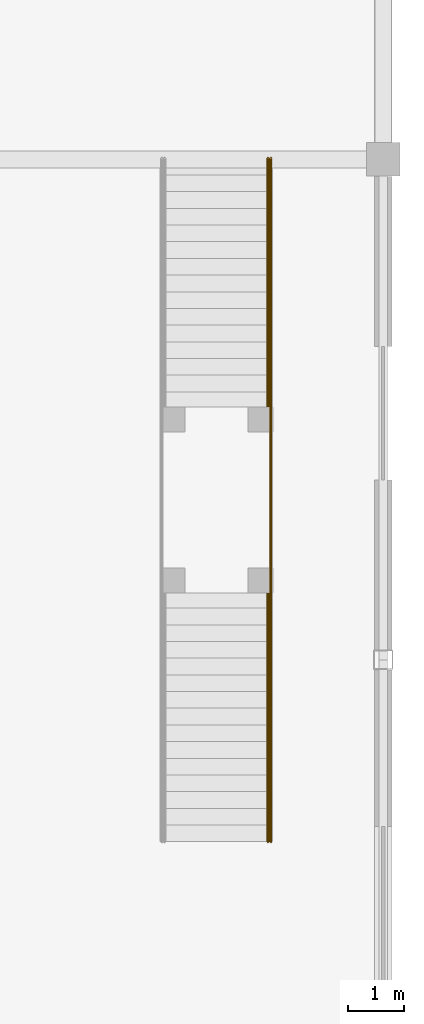
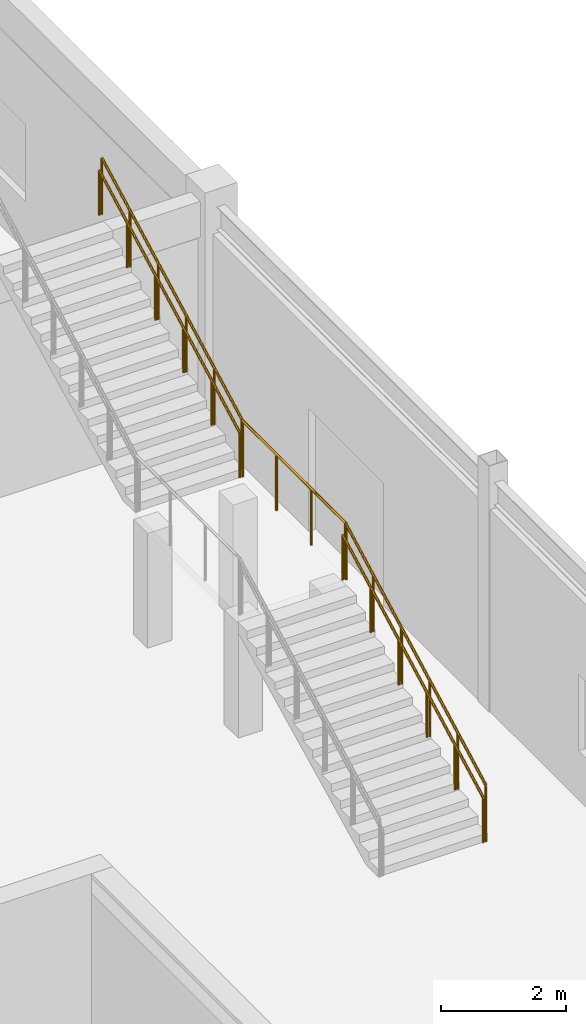
# One storey, part 81 of 82: 5 railings.
"""IFC4 building model written with IfcOpenShell, lengths in metres."""

import ifcopenshell
import ifcopenshell.guid

model = None  # the IFC model being written
_history = None  # IfcOwnerHistory: only IFC2X3 demands one
_inside = {}  # id of a spatial element -> (the spatial element, [elements in it])
_under = {}  # id of a project, library or spatial element -> (it, [spatial elements below it])
_declared = {}  # id of a project -> (the project, [libraries it declares])
_typed = {}  # id of a type object -> (the type object, [elements of that type])
_made_of = {}  # id of a material, layer set ... -> (it, [elements and type objects made of it])


def new_model(schema):
    """Start an empty IFC model of exactly this schema.

    Asked for "IFC4X3", IfcOpenShell would pick the latest addendum, in which some entities
    have other attributes; the version numbers below select the first issue.
    IFC2X3 requires an IfcOwnerHistory on every rooted entity: one is made here for all.
    """
    global model, _history
    if schema == "IFC4X3":
        model = ifcopenshell.file(schema_version=(4, 3, 0, 0))
    else:
        model = ifcopenshell.file(schema=schema)
    _inside.clear()
    _under.clear()
    _declared.clear()
    _typed.clear()
    _made_of.clear()
    _history = None
    if model.schema == "IFC2X3":
        org = make("IfcOrganization", Name="unknown")
        user = make(
            "IfcPersonAndOrganization",
            ThePerson=make("IfcPerson", FamilyName="unknown"),
            TheOrganization=org,
        )
        app = make(
            "IfcApplication",
            ApplicationDeveloper=org,
            Version="unknown",
            ApplicationFullName="unknown",
            ApplicationIdentifier="unknown",
        )
        _history = make(
            "IfcOwnerHistory",
            OwningUser=user,
            OwningApplication=app,
            ChangeAction="ADDED",
            CreationDate=0,
        )
    return model


def make(cls, **values):
    """One entity of the class cls with the attributes given. An attribute that is None is left unset."""
    return model.create_entity(
        cls, **{name: value for name, value in values.items() if value is not None}
    )


def rooted(cls, **values):
    """An entity with a GlobalId (a new one), such as an element, a storey or a relation."""
    return make(cls, GlobalId=ifcopenshell.guid.new(), OwnerHistory=_history, **values)


def si_unit(unit_type, name, prefix=None):
    """IfcSIUnit, for example si_unit("LENGTHUNIT", "METRE", prefix="MILLI")."""
    return make("IfcSIUnit", UnitType=unit_type, Prefix=prefix, Name=name)


def assignment(units):
    """IfcUnitAssignment: the units of a project."""
    return None if units is None else make("IfcUnitAssignment", Units=units)


def point(xyz):
    """IfcCartesianPoint."""
    return None if xyz is None else make("IfcCartesianPoint", Coordinates=xyz)


def direction(xyz):
    """IfcDirection."""
    return None if xyz is None else make("IfcDirection", DirectionRatios=xyz)


def frame(location, z_axis=None, x_axis=None):
    """IfcAxis2Placement3D, a coordinate frame: its origin and axes. An axis left out is left unset."""
    return make(
        "IfcAxis2Placement3D",
        Location=point(location),
        Axis=direction(z_axis),
        RefDirection=direction(x_axis),
    )


def frame_2d(location, x_axis=None):
    """IfcAxis2Placement2D, a coordinate frame in the plane: its origin and x axis."""
    return make(
        "IfcAxis2Placement2D", Location=point(location), RefDirection=direction(x_axis)
    )


def origin():
    """The frame at (0, 0, 0) with its axes left unset."""
    return frame((0.0, 0.0, 0.0))


def origin_2d():
    """The frame at (0, 0) in the plane with its x axis left unset."""
    return frame_2d((0.0, 0.0))


def place(relative_to, where):
    """IfcLocalPlacement: puts the frame where relative to a parent placement (None: the world)."""
    return make(
        "IfcLocalPlacement", PlacementRelTo=relative_to, RelativePlacement=where
    )


def context(
    kind, dimensions, precision=None, world=None, true_north=None, identifier=None
):
    """IfcGeometricRepresentationContext, for example the 3D "Model" context."""
    return make(
        "IfcGeometricRepresentationContext",
        ContextIdentifier=identifier,
        ContextType=kind,
        CoordinateSpaceDimension=dimensions,
        Precision=precision,
        WorldCoordinateSystem=world,
        TrueNorth=true_north,
    )


def subcontext(parent, identifier, kind, view, scale=None):
    """IfcGeometricRepresentationSubContext, for example "Body" below "Model"."""
    return make(
        "IfcGeometricRepresentationSubContext",
        ContextIdentifier=identifier,
        ContextType=kind,
        ParentContext=parent,
        TargetScale=scale,
        TargetView=view,
    )


def project(units=None, contexts=None):
    """IfcProject with its units and contexts."""
    return rooted(
        "IfcProject",
        Name="project",
        RepresentationContexts=contexts,
        UnitsInContext=assignment(units),
    )


def spatial(cls, under=None, at=None, **own):
    """A site, building, storey or space (cls), placed at a placement, below another one or the project."""
    s = rooted(cls, ObjectPlacement=at, **own)
    if under is not None:
        _under.setdefault(under.id(), (under, []))[1].append(s)
    return s


def profile(cls, at=None, kind="AREA", **sizes):
    """A parametric profile (cls). Its sizes go by their IFC names, for example OverallWidth=200.0."""
    return make(cls, ProfileType=kind, Position=at, **sizes)


def circle(**sizes):
    """IfcCircleProfileDef."""
    return profile("IfcCircleProfileDef", **sizes)


def extrude(swept, where, along, depth):
    """IfcExtrudedAreaSolid: the profile swept, set in the frame where, extruded along a direction by depth."""
    return make(
        "IfcExtrudedAreaSolid",
        SweptArea=swept,
        Position=where,
        ExtrudedDirection=direction(along),
        Depth=depth,
    )


def shape(context_of_items, identifier, shape_type, items):
    """IfcShapeRepresentation: the items that make up one representation, for example the "Body"."""
    return make(
        "IfcShapeRepresentation",
        ContextOfItems=context_of_items,
        RepresentationIdentifier=identifier,
        RepresentationType=shape_type,
        Items=items,
    )


def material(Name=None, Category=None):
    """IfcMaterial."""
    return make("IfcMaterial", Name=Name, Category=Category)


def made_of(thing, what):
    """Note that an element or type object is made of a material, layer set ...; save() writes the relation."""
    if what is not None:
        _made_of.setdefault(what.id(), (what, []))[1].append(thing)
    return thing


def type_object(cls, material=None, **own):
    """A type object (cls), such as IfcWallType, which elements share."""
    return made_of(rooted(cls, **own), material)


def element(
    cls,
    number,
    at=None,
    inside=None,
    cuts=None,
    type_object=None,
    material=None,
    context=None,
    identifier="Body",
    shape_type=None,
    held_by="IfcProductDefinitionShape",
    body=None,
    shapes=None,
    **own,
):
    """One element of the class cls, such as IfcWall. Its Tag is "e" and its number.

    at: its placement. inside: the storey or other place that contains it. cuts: it is an
    opening in that element (IfcRelVoidsElement). A single representation is given by context,
    identifier, shape_type and body (its items); several are given by shapes. held_by: the class
    of the entity that holds the representations. save() writes the other relations.
    """
    e = rooted(cls, Tag="e%d" % number, ObjectPlacement=at, **own)
    if body is not None:
        shapes = [shape(context, identifier, shape_type, body)]
    if shapes is not None:
        e.Representation = make(held_by, Representations=shapes)
    if inside is not None:
        _inside.setdefault(inside.id(), (inside, []))[1].append(e)
    if cuts is not None:
        rooted(
            "IfcRelVoidsElement", RelatingBuildingElement=cuts, RelatedOpeningElement=e
        )
    if type_object is not None:
        _typed.setdefault(type_object.id(), (type_object, []))[1].append(e)
    return made_of(e, material)


def aggregate(whole, parts):
    """IfcRelAggregates: a whole, such as a stair, and the parts it consists of."""
    return rooted("IfcRelAggregates", RelatingObject=whole, RelatedObjects=parts)


def save(model, path):
    """Write the relations noted so far, then the file.

    IfcRelAggregates (storeys below a building ...), IfcRelContainedInSpatialStructure (elements
    in a storey), IfcRelDefinesByType, IfcRelAssociatesMaterial and IfcRelDeclares: one each for
    every whole, place, type object, material and project.
    """
    for whole, parts in _under.values():
        aggregate(whole, parts)
    for where, things in _inside.values():
        rooted(
            "IfcRelContainedInSpatialStructure",
            RelatedElements=things,
            RelatingStructure=where,
        )
    for kind, things in _typed.values():
        rooted("IfcRelDefinesByType", RelatedObjects=things, RelatingType=kind)
    for what, things in _made_of.values():
        rooted("IfcRelAssociatesMaterial", RelatedObjects=things, RelatingMaterial=what)
    for by, libraries in _declared.values():
        rooted("IfcRelDeclares", RelatingContext=by, RelatedDefinitions=libraries)
    model.write(path)


model = new_model("IFC4")

# Units and contexts
model_context = context("Model", 3, precision=1e-05, world=origin(), true_north=direction((0.0, 1.0)))
body_context = subcontext(model_context, "Body", "Model", "MODEL_VIEW")
ifc_project = project(units=[si_unit("LENGTHUNIT", "METRE"), si_unit("AREAUNIT", "SQUARE_METRE"), si_unit("VOLUMEUNIT", "CUBIC_METRE"), si_unit("PLANEANGLEUNIT", "RADIAN"), si_unit("MASSUNIT", "GRAM", prefix="KILO")], contexts=[model_context])

# Site, building, storey
site_placement = place(None, origin())
site = spatial("IfcSite", under=ifc_project, at=site_placement, CompositionType="ELEMENT")
building_placement = place(site_placement, origin())
building = spatial("IfcBuilding", under=site, at=building_placement, Name="Suirenkawa Promenade Aquatics Centre", CompositionType="ELEMENT")
storey_placement = place(building_placement, origin())
storey = spatial("IfcBuildingStorey", under=building, at=storey_placement, Name="L00", CompositionType="ELEMENT", Elevation=0.0)

# Railings
ifc_material = material(Name="Marine-grade stainless steel Grade 316L", Category="steel")
railing_type_1 = type_object("IfcRailingType", Name="RLT-GUARD-1120", PredefinedType="GUARDRAIL", material=ifc_material)
railing_1_placement = place(storey_placement, frame((192.3798828125, 74.1298828125, 0.0)))
element("IfcRailing", 1, at=railing_1_placement, inside=storey, type_object=railing_type_1, Name="Guardrail GRD-01 RL-0343", PredefinedType="GUARDRAIL", context=body_context, shape_type="SweptSolid", body=[
    extrude(circle(Radius=0.02392578125, at=origin_2d()), frame((0.0, 0.0, 1.09619140625), z_axis=(0.0, 0.882360891967, 0.470573327259), x_axis=(-1.0, 0.0, 0.0)), (0.0, 0.0, 1.0), 5.099853515625),
    extrude(circle(Radius=0.02099609375, at=origin_2d()), origin(), (0.0, 0.0, 1.0), 1.072021484375),
    extrude(circle(Radius=0.02099609375, at=origin_2d()), frame((0.0, 0.89990234375, 0.47998046875)), (0.0, 0.0, 1.0), 1.072021484375),
    extrude(circle(Radius=0.02099609375, at=origin_2d()), frame((0.0, 1.800048828125, 0.9599609375)), (0.0, 0.0, 1.0), 1.072021484375),
    extrude(circle(Radius=0.02099609375, at=origin_2d()), frame((0.0, 2.699951171875, 1.43994140625)), (0.0, 0.0, 1.0), 1.072021484375),
    extrude(circle(Radius=0.02099609375, at=origin_2d()), frame((0.0, 3.60009765625, 1.919921875)), (0.0, 0.0, 1.0), 1.072021484375),
    extrude(circle(Radius=0.02099609375, at=origin_2d()), frame((0.0, 4.5, 2.39990234375)), (0.0, 0.0, 1.0), 1.072021484375),
])
railing_2_placement = place(storey_placement, frame((192.3798828125, 81.919921875, 2.39990234375)))
element("IfcRailing", 2, at=railing_2_placement, inside=storey, type_object=railing_type_1, Name="Guardrail GRD-01 RL-0347", PredefinedType="GUARDRAIL", context=body_context, shape_type="SweptSolid", body=[
    extrude(circle(Radius=0.02392578125, at=origin_2d()), frame((0.0, 0.0, 1.09619140625), z_axis=(0.0, 0.882341014787, 0.470610596591), x_axis=(-1.0, 0.0, 0.0)), (0.0, 0.0, 1.0), 5.10009765625),
    extrude(circle(Radius=0.02099609375, at=origin_2d()), origin(), (0.0, 0.0, 1.0), 1.072021484375),
    extrude(circle(Radius=0.02099609375, at=origin_2d()), frame((0.0, 0.89990234375, 0.47998046875)), (0.0, 0.0, 1.0), 1.072021484375),
    extrude(circle(Radius=0.02099609375, at=origin_2d()), frame((0.0, 1.800048828125, 0.9599609375)), (0.0, 0.0, 1.0), 1.072021484375),
    extrude(circle(Radius=0.02099609375, at=origin_2d()), frame((0.0, 2.699951171875, 1.440185546875)), (0.0, 0.0, 1.0), 1.072021484375),
    extrude(circle(Radius=0.02099609375, at=origin_2d()), frame((0.0, 3.60009765625, 1.920166015625)), (0.0, 0.0, 1.0), 1.072021484375),
    extrude(circle(Radius=0.02099609375, at=origin_2d()), frame((0.0, 4.5, 2.400146484375)), (0.0, 0.0, 1.0), 1.072021484375),
])
railing_3_placement = place(storey_placement, frame((192.3798828125, 78.60498046875, 2.39990234375)))
element("IfcRailing", 3, at=railing_3_placement, inside=storey, type_object=railing_type_1, Name="Guardrail GRD-01 RL-0350", PredefinedType="GUARDRAIL", context=body_context, shape_type="SweptSolid", body=[
    extrude(circle(Radius=0.02392578125, at=origin_2d()), frame((0.0, 0.0, 1.09619140625), z_axis=(0.0, 1.0, 0.0), x_axis=(-1.0, 0.0, 0.0)), (0.0, 0.0, 1.0), 3.340087890625),
    extrude(circle(Radius=0.02099609375, at=origin_2d()), origin(), (0.0, 0.0, 1.0), 1.072021484375),
    extrude(circle(Radius=0.02099609375, at=origin_2d()), frame((0.0, 1.11328125, 0.0)), (0.0, 0.0, 1.0), 1.072021484375),
    extrude(circle(Radius=0.02099609375, at=origin_2d()), frame((0.0, 2.226806640625, 0.0)), (0.0, 0.0, 1.0), 1.072021484375),
    extrude(circle(Radius=0.02099609375, at=origin_2d()), frame((0.0, 3.340087890625, 0.0)), (0.0, 0.0, 1.0), 1.072021484375),
])
railing_type_2 = type_object("IfcRailingType", Name="RLT-HANDRAIL-900", PredefinedType="HANDRAIL", material=ifc_material)
railing_4_placement = place(storey_placement, frame((192.330078125, 74.1298828125, 0.0)))
element("IfcRailing", 4, at=railing_4_placement, inside=storey, type_object=railing_type_2, Name="Handrail HRL-01 RL-0344", PredefinedType="HANDRAIL", context=body_context, shape_type="SweptSolid", body=[
    extrude(circle(Radius=0.02392578125, at=origin_2d()), frame((0.0, 0.0, 0.8759765625), z_axis=(0.0, 0.882360891967, 0.470573327259), x_axis=(-1.0, 0.0, 0.0)), (0.0, 0.0, 1.0), 5.099853515625),
    extrude(circle(Radius=0.02099609375, at=origin_2d()), origin(), (0.0, 0.0, 1.0), 0.851806640625),
    extrude(circle(Radius=0.02099609375, at=origin_2d()), frame((0.0, 0.89990234375, 0.47998046875)), (0.0, 0.0, 1.0), 0.851806640625),
    extrude(circle(Radius=0.02099609375, at=origin_2d()), frame((0.0, 1.800048828125, 0.9599609375)), (0.0, 0.0, 1.0), 0.851806640625),
    extrude(circle(Radius=0.02099609375, at=origin_2d()), frame((0.0, 2.699951171875, 1.43994140625)), (0.0, 0.0, 1.0), 0.851806640625),
    extrude(circle(Radius=0.02099609375, at=origin_2d()), frame((0.0, 3.60009765625, 1.919921875)), (0.0, 0.0, 1.0), 0.851806640625),
    extrude(circle(Radius=0.02099609375, at=origin_2d()), frame((0.0, 4.5, 2.39990234375)), (0.0, 0.0, 1.0), 0.851806640625),
])
railing_5_placement = place(storey_placement, frame((192.330078125, 81.919921875, 2.39990234375)))
element("IfcRailing", 5, at=railing_5_placement, inside=storey, type_object=railing_type_2, Name="Handrail HRL-01 RL-0348", PredefinedType="HANDRAIL", context=body_context, shape_type="SweptSolid", body=[
    extrude(circle(Radius=0.02392578125, at=origin_2d()), frame((0.0, 0.0, 0.8759765625), z_axis=(0.0, 0.882341014787, 0.470610596591), x_axis=(-1.0, 0.0, 0.0)), (0.0, 0.0, 1.0), 5.10009765625),
    extrude(circle(Radius=0.02099609375, at=origin_2d()), origin(), (0.0, 0.0, 1.0), 0.851806640625),
    extrude(circle(Radius=0.02099609375, at=origin_2d()), frame((0.0, 0.89990234375, 0.47998046875)), (0.0, 0.0, 1.0), 0.851806640625),
    extrude(circle(Radius=0.02099609375, at=origin_2d()), frame((0.0, 1.800048828125, 0.9599609375)), (0.0, 0.0, 1.0), 0.851806640625),
    extrude(circle(Radius=0.02099609375, at=origin_2d()), frame((0.0, 2.699951171875, 1.440185546875)), (0.0, 0.0, 1.0), 0.851806640625),
    extrude(circle(Radius=0.02099609375, at=origin_2d()), frame((0.0, 3.60009765625, 1.920166015625)), (0.0, 0.0, 1.0), 0.851806640625),
    extrude(circle(Radius=0.02099609375, at=origin_2d()), frame((0.0, 4.5, 2.400146484375)), (0.0, 0.0, 1.0), 0.851806640625),
])

save(model, "model.ifc")
